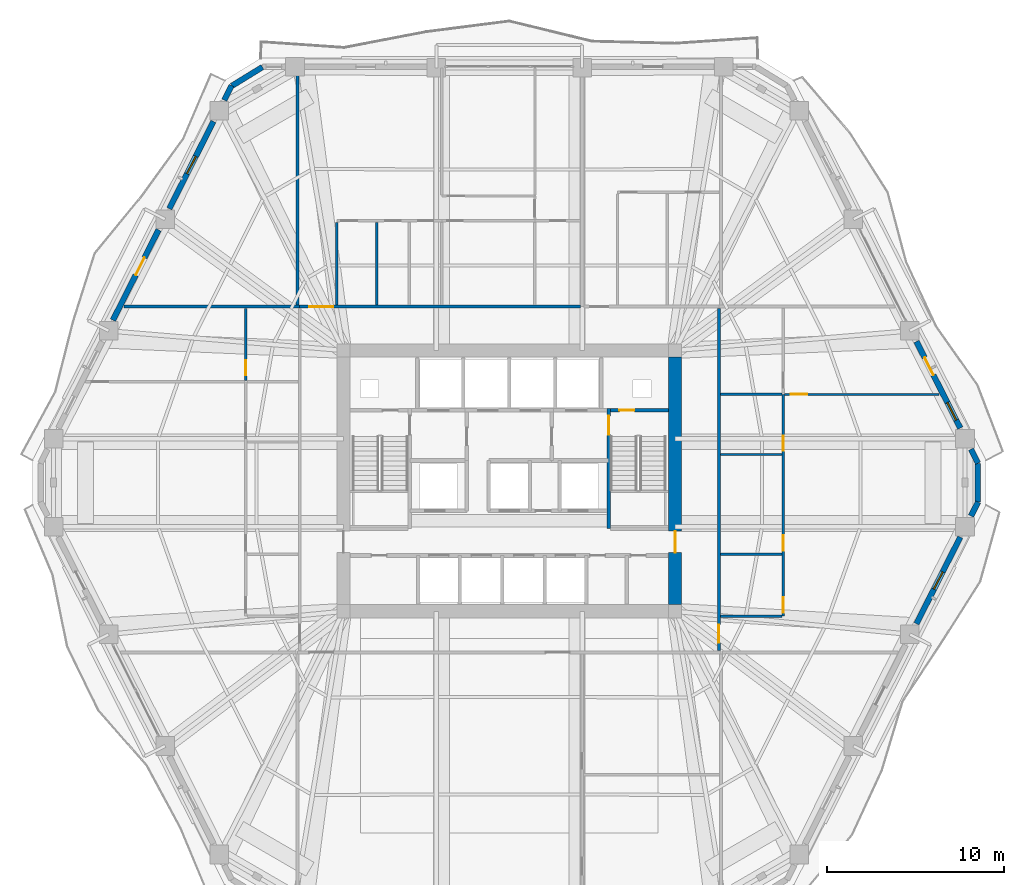
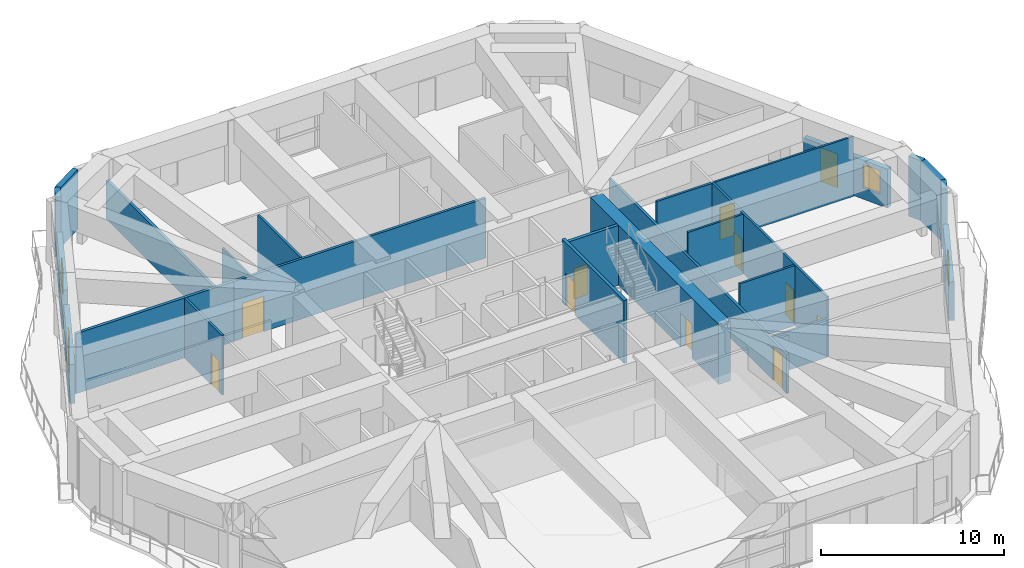
# One storey, part 16 of 23: 25 walls, 12 doors, 3 windows, 15 openings.
"""IFC4 building model written with IfcOpenShell, lengths in metres."""

from ifc_helpers import new_model, si_unit, direction, frame, frame_2d, origin, place, context, subcontext, project, spatial, rectangle, extrude, material, layer, layer_set, type_object, element, fill, save


model = new_model("IFC4")

# Units and contexts
model_context = context("Model", 3, precision=1e-05, world=origin(), true_north=direction((0.0, 1.0)))
body_context = subcontext(model_context, "Body", "Model", "MODEL_VIEW")
ifc_project = project(units=[si_unit("LENGTHUNIT", "METRE"), si_unit("AREAUNIT", "SQUARE_METRE"), si_unit("VOLUMEUNIT", "CUBIC_METRE"), si_unit("PLANEANGLEUNIT", "RADIAN"), si_unit("MASSUNIT", "GRAM", prefix="KILO")], contexts=[model_context])

# Site, building, storey
site_placement = place(None, origin())
site = spatial("IfcSite", under=ifc_project, at=site_placement, CompositionType="ELEMENT")
building_placement = place(site_placement, origin())
building = spatial("IfcBuilding", under=site, at=building_placement, Name="Cinnabar Lancet Tower", CompositionType="ELEMENT")
storey_placement = place(building_placement, frame((0.0, 0.0, 94.199951171875)))
storey = spatial("IfcBuildingStorey", under=building, at=storey_placement, Name="L24", CompositionType="ELEMENT", Elevation=94.199951171875)

# Wall, opening, door
ifc_material_1 = material(Name="Acoustic twin-stud gypsum partition", Category="gypsum")
ifc_layer_1 = layer(ifc_material_1, 0.159912109375)
ifc_layer_set_1 = layer_set([ifc_layer_1], Name="Acoustic twin-stud gypsum partition")
wall_type_1 = type_object("IfcWallType", Name="ARC-WL-CORR-160", PredefinedType="PARTITIONING", material=ifc_layer_set_1)
wall_1_placement = place(storey_placement, frame((20.528076171875, 35.75, 0.0), z_axis=(0.0, 0.0, 1.0), x_axis=(1.0, 0.0, 0.0)))
wall_1 = element("IfcWall", 1, at=wall_1_placement, inside=storey, type_object=wall_type_1, Name="L24 Unit N01 Corridor Wall", PredefinedType="PARTITIONING", context=body_context, shape_type="SweptSolid", body=[
    extrude(rectangle(XDim=15.89892578125, YDim=0.159912109375, at=frame_2d((7.949462890625, 0.0))), origin(), (0.0, 0.0, 1.0), 3.989990234375),
])
opening_1_placement = place(wall_1_placement, frame((0.572021484375, 0.0, 0.0)))
opening_1 = element("IfcOpeningElement", 2, at=opening_1_placement, cuts=wall_1, Name="Opening UD-02", PredefinedType="OPENING", context=body_context, shape_type="SweptSolid", body=[
    extrude(rectangle(XDim=1.35009765625, YDim=2.35009765625, at=frame_2d((0.675048828125, 1.175048828125))), frame((0.0, 0.08984375, 0.0), z_axis=(0.0, -1.0, 0.0), x_axis=(1.0, 0.0, 0.0)), (0.0, 0.0, 1.0), 0.179931640625),
])
ifc_material_2 = material(Name="Double-leaf solid timber penthouse entrance door", Category="wood")
door_type_1 = type_object("IfcDoorType", Name="ARC-DR-UNIT-PH", OperationType="NOTDEFINED", PredefinedType="DOOR", material=ifc_material_2)
door_1_placement = place(opening_1_placement, origin())
door_1 = element("IfcDoor", 3, at=door_1_placement, inside=storey, type_object=door_type_1, Name="DR-L24-N01-ENT", OperationType="SINGLE_SWING_LEFT", OverallHeight=2.35009765625, OverallWidth=1.35009765625, PredefinedType="DOOR", context=body_context, shape_type="SweptSolid", body=[
    extrude(rectangle(XDim=1.35009765625, YDim=2.35009765625, at=frame_2d((0.675048828125, 1.175048828125))), frame((0.0, 0.02490234375, 0.0), z_axis=(0.0, -1.0, 0.0), x_axis=(1.0, 0.0, 0.0)), (0.0, 0.0, 1.0), 0.050048828125),
])
fill(opening_1, door_1)

wall_2_placement = place(storey_placement, frame((44.25, 16.294921875, 0.0), z_axis=(0.0, 0.0, 1.0), x_axis=(0.0, 1.0, 0.0)))
wall_2 = element("IfcWall", 4, at=wall_2_placement, inside=storey, type_object=wall_type_1, Name="UW-L24-E01-COR", PredefinedType="PARTITIONING", context=body_context, shape_type="SweptSolid", body=[
    extrude(rectangle(XDim=19.360107421875, YDim=0.159912109375, at=frame_2d((9.68017578125, 0.0))), origin(), (0.0, 0.0, 1.0), 2.590087890625),
])
opening_2_placement = place(wall_2_placement, frame((0.449951171875, 0.0, 0.0)))
opening_2 = element("IfcOpeningElement", 5, at=opening_2_placement, cuts=wall_2, Name="Opening UD-01", PredefinedType="OPENING", context=body_context, shape_type="SweptSolid", body=[
    extrude(rectangle(XDim=1.02001953125, YDim=2.25, at=frame_2d((0.510009765625, 1.125))), frame((0.0, 0.08984375, 0.0), z_axis=(0.0, -1.0, 0.0), x_axis=(1.0, 0.0, 0.0)), (0.0, 0.0, 1.0), 0.179931640625),
])
ifc_material_3 = material(Name="Solid timber fire-rated apartment entrance door", Category="wood")
door_type_2 = type_object("IfcDoorType", Name="ARC-DR-UNIT", OperationType="NOTDEFINED", PredefinedType="DOOR", material=ifc_material_3)
door_2_placement = place(opening_2_placement, origin())
door_2 = element("IfcDoor", 6, at=door_2_placement, inside=storey, type_object=door_type_2, Name="DR-L24-E01-ENT", OperationType="SINGLE_SWING_RIGHT", OverallHeight=2.25, OverallWidth=1.02001953125, PredefinedType="DOOR", context=body_context, shape_type="SweptSolid", body=[
    extrude(rectangle(XDim=1.02001953125, YDim=2.25, at=frame_2d((0.510009765625, 1.125))), frame((0.0, 0.02490234375, 0.0), z_axis=(0.0, -1.0, 0.0), x_axis=(1.0, 0.0, 0.0)), (0.0, 0.0, 1.0), 0.050048828125),
])
fill(opening_2, door_2)

# Walls
ifc_material_4 = material(Name="Fire-rated twin-frame acoustic drywall", Category="gypsum")
ifc_layer_2 = layer(ifc_material_4, 0.179931640625)
ifc_layer_set_2 = layer_set([ifc_layer_2], Name="Fire-rated twin-frame acoustic drywall")
wall_type_2 = type_object("IfcWallType", Name="ARC-WL-PARTY-180", PredefinedType="PARTITIONING", material=ifc_layer_set_2)
wall_3_placement = place(storey_placement, frame((20.43310546875, 35.75, 0.0), z_axis=(0.0, 0.0, 1.0), x_axis=(0.0, 1.0, 0.0)))
element("IfcWall", 7, at=wall_3_placement, inside=storey, type_object=wall_type_2, Name="PW-L24-NPTY-204", PredefinedType="PARTITIONING", context=body_context, shape_type="SweptSolid", body=[
    extrude(rectangle(XDim=13.485107421875, YDim=0.179931640625, at=frame_2d((6.74267578125, 0.0))), origin(), (0.0, 0.0, 1.0), 2.590087890625),
])
wall_4_placement = place(storey_placement, frame((10.60302734375, 35.75, 0.0), z_axis=(0.0, 0.0, 1.0), x_axis=(1.0, 0.0, 0.0)))
element("IfcWall", 8, at=wall_4_placement, inside=storey, type_object=wall_type_2, Name="PW-L24-WNB", PredefinedType="PARTITIONING", context=body_context, shape_type="SweptSolid", body=[
    extrude(rectangle(XDim=9.947021484375, YDim=0.179931640625, at=frame_2d((4.9736328125, 0.0))), origin(), (0.0, 0.0, 1.0), 3.989990234375),
])

# Wall, opening, door
ifc_material_5 = material(Name="Autoclaved aerated concrete blockwork", Category="masonry")
ifc_layer_3 = layer(ifc_material_5, 0.199951171875)
ifc_layer_set_3 = layer_set([ifc_layer_3], Name="Autoclaved aerated concrete blockwork")
wall_type_3 = type_object("IfcWallType", Name="ARC-WL-SHAFT-200", PredefinedType="PLUMBINGWALL", material=ifc_layer_set_3)
wall_5_placement = place(storey_placement, frame((38.125, 29.89990234375, 0.0), z_axis=(0.0, 0.0, 1.0), x_axis=(1.0, 0.0, 0.0)))
wall_5 = element("IfcWall", 9, at=wall_5_placement, inside=storey, type_object=wall_type_3, Name="CW-NSH-E-L24", PredefinedType="PLUMBINGWALL", context=body_context, shape_type="SweptSolid", body=[
    extrude(rectangle(XDim=3.27001953125, YDim=0.199951171875, at=frame_2d((1.635009765625, 0.0))), origin(), (0.0, 0.0, 1.0), 3.989990234375),
])
opening_3_placement = place(wall_5_placement, frame((0.5, 0.0, 0.0)))
opening_3 = element("IfcOpeningElement", 10, at=opening_3_placement, cuts=wall_5, Name="Opening PD-02", PredefinedType="OPENING", context=body_context, shape_type="SweptSolid", body=[
    extrude(rectangle(XDim=0.85009765625, YDim=2.050048828125, at=frame_2d((0.425048828125, 1.02490234375))), frame((0.0, 0.10986328125, 0.0), z_axis=(0.0, -1.0, 0.0), x_axis=(1.0, 0.0, 0.0)), (0.0, 0.0, 1.0), 0.219970703125),
])
ifc_material_6 = material(Name="Fire-rated steel riser access door", Category="steel")
door_type_3 = type_object("IfcDoorType", Name="ARC-DR-RISER", OperationType="NOTDEFINED", PredefinedType="DOOR", material=ifc_material_6)
door_3_placement = place(opening_3_placement, origin())
door_3 = element("IfcDoor", 11, at=door_3_placement, inside=storey, type_object=door_type_3, Name="L24 East Riser Access Door", OperationType="SINGLE_SWING_RIGHT", OverallHeight=2.050048828125, OverallWidth=0.85009765625, PredefinedType="DOOR", context=body_context, shape_type="SweptSolid", body=[
    extrude(rectangle(XDim=0.85009765625, YDim=2.050048828125, at=frame_2d((0.425048828125, 1.02490234375))), frame((0.0, 0.02490234375, 0.0), z_axis=(0.0, -1.0, 0.0), x_axis=(1.0, 0.0, 0.0)), (0.0, 0.0, 1.0), 0.050048828125),
])
fill(opening_3, door_3)

# Walls
ifc_material_7 = material(Name="Gypsum plasterboard stud partition", Category="gypsum")
ifc_layer_4 = layer(ifc_material_7, 0.125)
ifc_layer_set_4 = layer_set([ifc_layer_4], Name="Gypsum plasterboard stud partition")
wall_type_4 = type_object("IfcWallType", Name="ARC-WL-UNIT-125", PredefinedType="PARTITIONING", material=ifc_layer_set_4)
wall_6_placement = place(storey_placement, frame((22.64990234375, 35.8349609375, 0.0), z_axis=(0.0, 0.0, 1.0), x_axis=(0.0, 1.0, 0.0)))
element("IfcWall", 12, at=wall_6_placement, inside=storey, type_object=wall_type_4, Name="UW-L24-N01-FOYE", PredefinedType="PARTITIONING", context=body_context, shape_type="SweptSolid", body=[
    extrude(rectangle(XDim=4.6650390625, YDim=0.125, at=frame_2d((2.33251953125, 0.0))), origin(), (0.0, 0.0, 1.0), 2.590087890625),
])
wall_7_placement = place(storey_placement, frame((44.3349609375, 18.25, 0.0), z_axis=(0.0, 0.0, 1.0), x_axis=(1.0, 0.0, 0.0)))
element("IfcWall", 13, at=wall_7_placement, inside=storey, type_object=wall_type_4, Name="UW-L24-E01-FOYN", PredefinedType="PARTITIONING", context=body_context, shape_type="SweptSolid", body=[
    extrude(rectangle(XDim=3.47998046875, YDim=0.125, at=frame_2d((1.739990234375, 0.0))), origin(), (0.0, 0.0, 1.0), 2.590087890625),
])

# Wall, opening, door
wall_8_placement = place(storey_placement, frame((47.97509765625, 30.7890625, 0.0), z_axis=(0.0, 0.0, 1.0), x_axis=(1.0, 0.0, 0.0)))
wall_8 = element("IfcWall", 14, at=wall_8_placement, inside=storey, type_object=wall_type_4, Name="UW-L24-E01-MBN", PredefinedType="PARTITIONING", context=body_context, shape_type="SweptSolid", body=[
    extrude(rectangle(XDim=8.73583984375, YDim=0.125, at=frame_2d((4.367919921875, 0.0))), origin(), (0.0, 0.0, 1.0), 3.989990234375),
])
opening_4_placement = place(wall_8_placement, frame((0.35009765625, 0.0, 0.0)))
opening_4 = element("IfcOpeningElement", 15, at=opening_4_placement, cuts=wall_8, Name="Opening RD-01", PredefinedType="OPENING", context=body_context, shape_type="SweptSolid", body=[
    extrude(rectangle(XDim=0.919921875, YDim=2.14990234375, at=frame_2d((0.4599609375, 1.074951171875))), frame((0.0, 0.072509765625, 0.0), z_axis=(0.0, -1.0, 0.0), x_axis=(1.0, 0.0, 0.0)), (0.0, 0.0, 1.0), 0.14501953125),
])
ifc_material_8 = material(Name="Engineered timber bedroom door", Category="wood")
door_type_4 = type_object("IfcDoorType", Name="ARC-DR-ROOM", OperationType="NOTDEFINED", PredefinedType="DOOR", material=ifc_material_8)
door_4_placement = place(opening_4_placement, origin())
door_4 = element("IfcDoor", 16, at=door_4_placement, inside=storey, type_object=door_type_4, Name="DR-L24-E01-MBD", OperationType="SINGLE_SWING_RIGHT", OverallHeight=2.14990234375, OverallWidth=0.919921875, PredefinedType="DOOR", context=body_context, shape_type="SweptSolid", body=[
    extrude(rectangle(XDim=0.919921875, YDim=2.14990234375, at=frame_2d((0.4599609375, 1.074951171875))), frame((0.0, 0.02490234375, 0.0), z_axis=(0.0, -1.0, 0.0), x_axis=(1.0, 0.0, 0.0)), (0.0, 0.0, 1.0), 0.050048828125),
])
fill(opening_4, door_4)

# Walls
wall_9_placement = place(storey_placement, frame((44.3349609375, 27.388916015625, 0.0), z_axis=(0.0, 0.0, 1.0), x_axis=(1.0, 0.0, 0.0)))
element("IfcWall", 17, at=wall_9_placement, inside=storey, type_object=wall_type_4, Name="UW-L24-E01-UDV", PredefinedType="PARTITIONING", context=body_context, shape_type="SweptSolid", body=[
    extrude(rectangle(XDim=3.47998046875, YDim=0.125, at=frame_2d((1.739990234375, 0.0))), origin(), (0.0, 0.0, 1.0), 3.989990234375),
])
ifc_material_9 = material(Name="Moisture-resistant cement-board plumbing wall", Category="masonry")
ifc_layer_5 = layer(ifc_material_9, 0.139892578125)
ifc_layer_set_5 = layer_set([ifc_layer_5], Name="Moisture-resistant cement-board plumbing wall")
wall_type_5 = type_object("IfcWallType", Name="ARC-WL-WET-140", PredefinedType="PLUMBINGWALL", material=ifc_layer_set_5)
wall_10_placement = place(storey_placement, frame((24.905029296875, 35.8349609375, 0.0), z_axis=(0.0, 0.0, 1.0), x_axis=(0.0, 1.0, 0.0)))
element("IfcWall", 18, at=wall_10_placement, inside=storey, type_object=wall_type_5, Name="UW-L24-N01-KDV", PredefinedType="PLUMBINGWALL", context=body_context, shape_type="SweptSolid", body=[
    extrude(rectangle(XDim=4.6650390625, YDim=0.139892578125, at=frame_2d((2.33251953125, 0.0))), origin(), (0.0, 0.0, 1.0), 3.989990234375),
])

# Wall, opening, door
wall_11_placement = place(storey_placement, frame((17.5, 31.568115234375, 0.0), z_axis=(0.0, 0.0, 1.0), x_axis=(0.0, 1.0, 0.0)))
wall_11 = element("IfcWall", 19, at=wall_11_placement, inside=storey, type_object=wall_type_5, Name="UW-L24-W01-SPM", PredefinedType="PLUMBINGWALL", context=body_context, shape_type="SweptSolid", body=[
    extrude(rectangle(XDim=4.0869140625, YDim=0.139892578125, at=frame_2d((2.04345703125, 0.0))), origin(), (0.0, 0.0, 1.0), 3.989990234375),
])
opening_5_placement = place(wall_11_placement, frame((0.300048828125, 0.0, 0.0)))
opening_5 = element("IfcOpeningElement", 20, at=opening_5_placement, cuts=wall_11, Name="Opening BD-01", PredefinedType="OPENING", context=body_context, shape_type="SweptSolid", body=[
    extrude(rectangle(XDim=0.860107421875, YDim=2.10009765625, at=frame_2d((0.43017578125, 1.050048828125))), frame((0.0, 0.079833984375, 0.0), z_axis=(0.0, -1.0, 0.0), x_axis=(1.0, 0.0, 0.0)), (0.0, 0.0, 1.0), 0.159912109375),
])
ifc_material_10 = material(Name="Moisture-resistant timber bathroom door", Category="wood")
door_type_5 = type_object("IfcDoorType", Name="ARC-DR-BATH", OperationType="NOTDEFINED", PredefinedType="DOOR", material=ifc_material_10)
door_5_placement = place(opening_5_placement, origin())
door_5 = element("IfcDoor", 21, at=door_5_placement, inside=storey, type_object=door_type_5, Name="DR-L24-W01-ENS", OperationType="SINGLE_SWING_LEFT", OverallHeight=2.10009765625, OverallWidth=0.860107421875, PredefinedType="DOOR", context=body_context, shape_type="SweptSolid", body=[
    extrude(rectangle(XDim=0.860107421875, YDim=2.10009765625, at=frame_2d((0.43017578125, 1.050048828125))), frame((0.0, 0.02490234375, 0.0), z_axis=(0.0, -1.0, 0.0), x_axis=(1.0, 0.0, 0.0)), (0.0, 0.0, 1.0), 0.050048828125),
])
fill(opening_5, door_5)

# Wall, openings, doors
wall_12_placement = place(storey_placement, frame((47.89990234375, 18.25, 0.0), z_axis=(0.0, 0.0, 1.0), x_axis=(0.0, 1.0, 0.0)))
wall_12 = element("IfcWall", 22, at=wall_12_placement, inside=storey, type_object=wall_type_5, Name="UW-L24-E01-SPL", PredefinedType="PLUMBINGWALL", context=body_context, shape_type="SweptSolid", body=[
    extrude(rectangle(XDim=12.5390625, YDim=0.139892578125, at=frame_2d((6.26953125, 0.0))), origin(), (0.0, 0.0, 1.0), 3.989990234375),
])
opening_6_placement = place(wall_12_placement, frame((0.199951171875, 0.0, 0.0)))
opening_6 = element("IfcOpeningElement", 23, at=opening_6_placement, cuts=wall_12, Name="Opening RD-02", PredefinedType="OPENING", context=body_context, shape_type="SweptSolid", body=[
    extrude(rectangle(XDim=0.8798828125, YDim=2.14990234375, at=frame_2d((0.43994140625, 1.074951171875))), frame((0.0, 0.079833984375, 0.0), z_axis=(0.0, -1.0, 0.0), x_axis=(1.0, 0.0, 0.0)), (0.0, 0.0, 1.0), 0.159912109375),
])
opening_7_placement = place(wall_12_placement, frame((3.699951171875, 0.0, 0.0)))
opening_7 = element("IfcOpeningElement", 24, at=opening_7_placement, cuts=wall_12, Name="Opening RD-02", PredefinedType="OPENING", context=body_context, shape_type="SweptSolid", body=[
    extrude(rectangle(XDim=0.8798828125, YDim=2.14990234375, at=frame_2d((0.43994140625, 1.074951171875))), frame((0.0, 0.079833984375, 0.0), z_axis=(0.0, -1.0, 0.0), x_axis=(1.0, 0.0, 0.0)), (0.0, 0.0, 1.0), 0.159912109375),
])
opening_8_placement = place(wall_12_placement, frame((9.339111328125, 0.0, 0.0)))
opening_8 = element("IfcOpeningElement", 25, at=opening_8_placement, cuts=wall_12, Name="Opening BD-01", PredefinedType="OPENING", context=body_context, shape_type="SweptSolid", body=[
    extrude(rectangle(XDim=0.860107421875, YDim=2.10009765625, at=frame_2d((0.43017578125, 1.050048828125))), frame((0.0, 0.079833984375, 0.0), z_axis=(0.0, -1.0, 0.0), x_axis=(1.0, 0.0, 0.0)), (0.0, 0.0, 1.0), 0.159912109375),
])
door_6_placement = place(opening_8_placement, origin())
door_6 = element("IfcDoor", 26, at=door_6_placement, inside=storey, type_object=door_type_5, Name="DR-L24-E01-BTH", OperationType="SINGLE_SWING_LEFT", OverallHeight=2.10009765625, OverallWidth=0.860107421875, PredefinedType="DOOR", context=body_context, shape_type="SweptSolid", body=[
    extrude(rectangle(XDim=0.860107421875, YDim=2.10009765625, at=frame_2d((0.43017578125, 1.050048828125))), frame((0.0, 0.02490234375, 0.0), z_axis=(0.0, -1.0, 0.0), x_axis=(1.0, 0.0, 0.0)), (0.0, 0.0, 1.0), 0.050048828125),
])
fill(opening_8, door_6)
ifc_material_11 = material(Name="Engineered timber study door", Category="wood")
door_type_6 = type_object("IfcDoorType", Name="ARC-DR-STUDY", OperationType="NOTDEFINED", PredefinedType="DOOR", material=ifc_material_11)
door_7_placement = place(opening_6_placement, origin())
door_7 = element("IfcDoor", 27, at=door_7_placement, inside=storey, type_object=door_type_6, Name="DR-L24-E01-KIT", OperationType="SINGLE_SWING_LEFT", OverallHeight=2.14990234375, OverallWidth=0.8798828125, PredefinedType="DOOR", context=body_context, shape_type="SweptSolid", body=[
    extrude(rectangle(XDim=0.8798828125, YDim=2.14990234375, at=frame_2d((0.43994140625, 1.074951171875))), frame((0.0, 0.02490234375, 0.0), z_axis=(0.0, -1.0, 0.0), x_axis=(1.0, 0.0, 0.0)), (0.0, 0.0, 1.0), 0.050048828125),
])
fill(opening_6, door_7)
door_8_placement = place(opening_7_placement, origin())
door_8 = element("IfcDoor", 28, at=door_8_placement, inside=storey, type_object=door_type_6, Name="DR-L24-E01-UTL", OperationType="SINGLE_SWING_RIGHT", OverallHeight=2.14990234375, OverallWidth=0.8798828125, PredefinedType="DOOR", context=body_context, shape_type="SweptSolid", body=[
    extrude(rectangle(XDim=0.8798828125, YDim=2.14990234375, at=frame_2d((0.43994140625, 1.074951171875))), frame((0.0, 0.02490234375, 0.0), z_axis=(0.0, -1.0, 0.0), x_axis=(1.0, 0.0, 0.0)), (0.0, 0.0, 1.0), 0.050048828125),
])
fill(opening_7, door_8)

# Walls
for number, where, z_axis, x_axis, name in (
    (29, (44.3349609375, 30.7890625, 0.0), (0.0, 0.0, 1.0), (1.0, 0.0, 0.0), "UW-L24-E01-ENSN"),
    (30, (44.3349609375, 21.75, 0.0), (0.0, 0.0, 1.0), (1.0, 0.0, 0.0), "UW-L24-E01-KDV"),
):
    element("IfcWall", number, at=place(storey_placement, frame(where, z_axis=z_axis, x_axis=x_axis)), inside=storey, type_object=wall_type_5, Name=name, PredefinedType="PLUMBINGWALL", context=body_context, shape_type="SweptSolid", body=[
        extrude(rectangle(XDim=3.47998046875, YDim=0.139892578125, at=frame_2d((1.739990234375, 0.0))), origin(), (0.0, 0.0, 1.0), 3.989990234375),
    ])
ifc_material_12 = material(Name="Warm buff clay brick", Category="masonry")
ifc_layer_6 = layer(ifc_material_12, 0.320068359375)
ifc_layer_set_6 = layer_set([ifc_layer_6], Name="Warm buff clay brick")
wall_type_6 = type_object("IfcWallType", Name="ENV-WL-BRK-BUF-320", PredefinedType="STANDARD", material=ifc_layer_set_6)
wall_13_placement = place(storey_placement, frame((58.887939453125, 24.7119140625, 0.0), z_axis=(0.0, 0.0, 1.0), x_axis=(0.0, 1.0, 0.0)))
element("IfcWall", 31, at=wall_13_placement, inside=storey, type_object=wall_type_6, Name="L24 Chamfered Corner Brick Pier 3.1", PredefinedType="STANDARD", context=body_context, shape_type="SweptSolid", body=[
    extrude(rectangle(XDim=2.176025390625, YDim=0.320068359375, at=frame_2d((1.087890625, 0.0))), origin(), (0.0, 0.0, 1.0), 3.989990234375),
])
wall_14_placement = place(storey_placement, frame((18.44091796875, 49.2958984375, 0.0), z_axis=(0.0, 0.0, 1.0), x_axis=(-0.851969051343, -0.523592146192, 0.0)))
element("IfcWall", 32, at=wall_14_placement, inside=storey, type_object=wall_type_6, Name="L24 Chamfered Corner Brick Pier 5.1", PredefinedType="STANDARD", context=body_context, shape_type="SweptSolid", body=[
    extrude(rectangle(XDim=2.022216796875, YDim=0.320068359375, at=frame_2d((1.01123046875, 0.0))), origin(), (0.0, 0.0, 1.0), 3.989990234375),
])

# Wall, opening, window
wall_15_placement = place(storey_placement, frame((55.425048828125, 17.821044921875, 0.0), z_axis=(0.0, 0.0, 1.0), x_axis=(0.451430335802, 0.892306366624, 0.0)))
wall_15 = element("IfcWall", 33, at=wall_15_placement, inside=storey, type_object=wall_type_6, Name="L24 Face 2 Masonry Bay Wall 4", PredefinedType="STANDARD", context=body_context, shape_type="SweptSolid", body=[
    extrude(rectangle(XDim=5.482177734375, YDim=0.320068359375, at=frame_2d((2.7412109375, 0.0))), origin(), (0.0, 0.0, 1.0), 2.590087890625),
])
opening_9_placement = place(wall_15_placement, frame((2.19091796875, 0.0, 0.75)))
opening_9 = element("IfcOpeningElement", 34, at=opening_9_placement, cuts=wall_15, Name="Opening WN-04", PredefinedType="OPENING", context=body_context, shape_type="SweptSolid", body=[
    extrude(rectangle(XDim=1.10009765625, YDim=1.68994140625, at=frame_2d((0.550048828125, 0.844970703125))), frame((0.0, 0.169921875, 0.0), z_axis=(0.0, -1.0, 0.0), x_axis=(1.0, 0.0, 0.0)), (0.0, 0.0, 1.0), 0.340087890625),
])
ifc_material_13 = material(Name="Thermally broken bronze-anodized aluminium tall lancet window", Category="aluminium")
window_type = type_object("IfcWindowType", Name="ENV-WN-LANCET-1100", PartitioningType="SINGLE_PANEL", PredefinedType="WINDOW", material=ifc_material_13)
window_1_placement = place(opening_9_placement, origin())
window_1 = element("IfcWindow", 35, at=window_1_placement, inside=storey, type_object=window_type, Name="L24 Face 2 Gothic Lancet Window 4", OverallHeight=1.68994140625, OverallWidth=1.10009765625, PartitioningType="SINGLE_PANEL", PredefinedType="WINDOW", context=body_context, shape_type="SweptSolid", body=[
    extrude(rectangle(XDim=1.10009765625, YDim=1.68994140625, at=frame_2d((0.550048828125, 0.844970703125))), frame((0.0, 0.030029296875, 0.0), z_axis=(0.0, -1.0, 0.0), x_axis=(1.0, 0.0, 0.0)), (0.0, 0.0, 1.0), 0.06005859375),
])
fill(opening_9, window_1)

# Walls
for number, where, z_axis, x_axis, name in (
    (36, (58.508056640625, 23.9150390625, 0.0), (0.0, 0.0, 1.0), (0.451619580519, 0.892210599854, 0.0), "L24 Face 2 Masonry Bay Wall 5"),
    (37, (58.907958984375, 26.89501953125, 0.0), (0.0, 0.0, 1.0), (-0.451619580519, 0.892210599854, 0.0), "L24 Face 3 Masonry Bay Wall 1"),
):
    element("IfcWall", number, at=place(storey_placement, frame(where, z_axis=z_axis, x_axis=x_axis)), inside=storey, type_object=wall_type_6, Name=name, PredefinedType="STANDARD", context=body_context, shape_type="SweptSolid", body=[
        extrude(rectangle(XDim=0.885498046875, YDim=0.320068359375, at=frame_2d((0.44287109375, 0.0))), origin(), (0.0, 0.0, 1.0), 3.989990234375),
    ])

# Wall, openings, door, window
wall_16_placement = place(storey_placement, frame((57.89990234375, 28.886962890625, 0.0), z_axis=(0.0, 0.0, 1.0), x_axis=(-0.451412397928, 0.89231544142, 0.0)))
wall_16 = element("IfcWall", 38, at=wall_16_placement, inside=storey, type_object=wall_type_6, Name="L24 Face 3 Masonry Bay Wall 2", PredefinedType="STANDARD", context=body_context, shape_type="SweptSolid", body=[
    extrude(rectangle(XDim=5.482421875, YDim=0.320068359375, at=frame_2d((2.7412109375, 0.0))), origin(), (0.0, 0.0, 1.0), 2.590087890625),
])
opening_10_placement = place(wall_16_placement, frame((3.363037109375, 0.0, 0.0)))
opening_10 = element("IfcOpeningElement", 39, at=opening_10_placement, cuts=wall_16, Name="Opening TD-01", PredefinedType="OPENING", context=body_context, shape_type="SweptSolid", body=[
    extrude(rectangle(XDim=1.10009765625, YDim=2.25, at=frame_2d((0.550048828125, 1.125))), frame((0.0, 0.169921875, 0.0), z_axis=(0.0, -1.0, 0.0), x_axis=(1.0, 0.0, 0.0)), (0.0, 0.0, 1.0), 0.340087890625),
])
opening_11_placement = place(wall_16_placement, frame((0.507080078125, 0.0, 0.75)))
opening_11 = element("IfcOpeningElement", 40, at=opening_11_placement, cuts=wall_16, Name="Opening WN-04", PredefinedType="OPENING", context=body_context, shape_type="SweptSolid", body=[
    extrude(rectangle(XDim=1.10009765625, YDim=1.56005859375, at=frame_2d((0.550048828125, 0.780029296875))), frame((0.0, 0.169921875, 0.0), z_axis=(0.0, -1.0, 0.0), x_axis=(1.0, 0.0, 0.0)), (0.0, 0.0, 1.0), 0.340087890625),
])
ifc_material_14 = material(Name="Thermally broken low-E glazed balcony terrace door", Category="wood")
door_type_7 = type_object("IfcDoorType", Name="ARC-DR-BALC", OperationType="NOTDEFINED", PredefinedType="DOOR", material=ifc_material_14)
door_9_placement = place(opening_10_placement, origin())
door_9 = element("IfcDoor", 41, at=door_9_placement, inside=storey, type_object=door_type_7, Name="L24 Face 3 Glazed Terrace Door", OperationType="SINGLE_SWING_LEFT", OverallHeight=2.25, OverallWidth=1.10009765625, PredefinedType="DOOR", context=body_context, shape_type="SweptSolid", body=[
    extrude(rectangle(XDim=1.10009765625, YDim=2.25, at=frame_2d((0.550048828125, 1.125))), frame((0.0, 0.02490234375, 0.0), z_axis=(0.0, -1.0, 0.0), x_axis=(1.0, 0.0, 0.0)), (0.0, 0.0, 1.0), 0.050048828125),
])
fill(opening_10, door_9)
window_2_placement = place(opening_11_placement, origin())
window_2 = element("IfcWindow", 42, at=window_2_placement, inside=storey, type_object=window_type, Name="L24 Split-Bay Gothic Lancet Window 80", OverallHeight=1.56005859375, OverallWidth=1.10009765625, PartitioningType="SINGLE_PANEL", PredefinedType="WINDOW", context=body_context, shape_type="SweptSolid", body=[
    extrude(rectangle(XDim=1.10009765625, YDim=1.56005859375, at=frame_2d((0.550048828125, 0.780029296875))), frame((0.0, 0.030029296875, 0.0), z_axis=(0.0, -1.0, 0.0), x_axis=(1.0, 0.0, 0.0)), (0.0, 0.0, 1.0), 0.06005859375),
])
fill(opening_11, window_2)

# Wall
wall_17_placement = place(storey_placement, frame((16.698974609375, 48.251953125, 0.0), z_axis=(0.0, 0.0, 1.0), x_axis=(-0.45154400974, -0.892248848286, 0.0)))
element("IfcWall", 43, at=wall_17_placement, inside=storey, type_object=wall_type_6, Name="L24 Face 5 Masonry Bay Wall 1", PredefinedType="STANDARD", context=body_context, shape_type="SweptSolid", body=[
    extrude(rectangle(XDim=0.923583984375, YDim=0.320068359375, at=frame_2d((0.4619140625, 0.0))), origin(), (0.0, 0.0, 1.0), 3.989990234375),
])

# Wall, opening, window
wall_18_placement = place(storey_placement, frame((15.674072265625, 46.22607421875, 0.0), z_axis=(0.0, 0.0, 1.0), x_axis=(-0.451552549164, -0.892244526654, 0.0)))
wall_18 = element("IfcWall", 44, at=wall_18_placement, inside=storey, type_object=wall_type_6, Name="L24 Face 5 Masonry Bay Wall 2", PredefinedType="STANDARD", context=body_context, shape_type="SweptSolid", body=[
    extrude(rectangle(XDim=5.530029296875, YDim=0.320068359375, at=frame_2d((2.76513671875, 0.0))), origin(), (0.0, 0.0, 1.0), 2.590087890625),
])
opening_12_placement = place(wall_18_placement, frame((2.215087890625, 0.0, 0.75)))
opening_12 = element("IfcOpeningElement", 45, at=opening_12_placement, cuts=wall_18, Name="Opening WN-04", PredefinedType="OPENING", context=body_context, shape_type="SweptSolid", body=[
    extrude(rectangle(XDim=1.10009765625, YDim=1.68994140625, at=frame_2d((0.550048828125, 0.844970703125))), frame((0.0, 0.169921875, 0.0), z_axis=(0.0, -1.0, 0.0), x_axis=(1.0, 0.0, 0.0)), (0.0, 0.0, 1.0), 0.340087890625),
])
window_3_placement = place(opening_12_placement, origin())
window_3 = element("IfcWindow", 46, at=window_3_placement, inside=storey, type_object=window_type, Name="L24 Face 5 Gothic Lancet Window 2", OverallHeight=1.68994140625, OverallWidth=1.10009765625, PartitioningType="SINGLE_PANEL", PredefinedType="WINDOW", context=body_context, shape_type="SweptSolid", body=[
    extrude(rectangle(XDim=1.10009765625, YDim=1.68994140625, at=frame_2d((0.550048828125, 0.844970703125))), frame((0.0, 0.030029296875, 0.0), z_axis=(0.0, -1.0, 0.0), x_axis=(1.0, 0.0, 0.0)), (0.0, 0.0, 1.0), 0.06005859375),
])
fill(opening_12, window_3)

# Wall, opening, door
wall_19_placement = place(storey_placement, frame((12.569091796875, 40.090087890625, 0.0), z_axis=(0.0, 0.0, 1.0), x_axis=(-0.451489285948, -0.89227654047, 0.0)))
wall_19 = element("IfcWall", 47, at=wall_19_placement, inside=storey, type_object=wall_type_6, Name="L24 Face 5 Masonry Bay Wall 3", PredefinedType="STANDARD", context=body_context, shape_type="SweptSolid", body=[
    extrude(rectangle(XDim=5.725830078125, YDim=0.320068359375, at=frame_2d((2.86279296875, 0.0))), origin(), (0.0, 0.0, 1.0), 2.590087890625),
])
opening_13_placement = place(wall_19_placement, frame((1.760009765625, 0.0, 0.0)))
opening_13 = element("IfcOpeningElement", 48, at=opening_13_placement, cuts=wall_19, Name="Opening TD-01", PredefinedType="OPENING", context=body_context, shape_type="SweptSolid", body=[
    extrude(rectangle(XDim=1.10009765625, YDim=2.25, at=frame_2d((0.550048828125, 1.125))), frame((0.0, 0.169921875, 0.0), z_axis=(0.0, -1.0, 0.0), x_axis=(1.0, 0.0, 0.0)), (0.0, 0.0, 1.0), 0.340087890625),
])
door_10_placement = place(opening_13_placement, origin())
door_10 = element("IfcDoor", 49, at=door_10_placement, inside=storey, type_object=door_type_7, Name="L24 Face 5 Glazed Terrace Door", OperationType="SINGLE_SWING_LEFT", OverallHeight=2.25, OverallWidth=1.10009765625, PredefinedType="DOOR", context=body_context, shape_type="SweptSolid", body=[
    extrude(rectangle(XDim=1.10009765625, YDim=2.25, at=frame_2d((0.550048828125, 1.125))), frame((0.0, 0.02490234375, 0.0), z_axis=(0.0, -1.0, 0.0), x_axis=(1.0, 0.0, 0.0)), (0.0, 0.0, 1.0), 0.050048828125),
])
fill(opening_13, door_10)

ifc_material_15 = material(Name="Concrete C70/85", Category="concrete")
ifc_layer_7 = layer(ifc_material_15, 0.75)
ifc_layer_set_7 = layer_set([ifc_layer_7], Name="Concrete C70/85")
wall_type_7 = type_object("IfcWallType", Name="STR-WL-CORE-750", PredefinedType="SHEAR", material=ifc_layer_set_7)
wall_20_placement = place(storey_placement, frame((41.77490234375, 18.89990234375, 0.0), z_axis=(0.0, 0.0, 1.0), x_axis=(0.0, 1.0, 0.0)))
wall_20 = element("IfcWall", 50, at=wall_20_placement, inside=storey, type_object=wall_type_7, Name="L24 Core Shear Wall E", PredefinedType="SHEAR", context=body_context, shape_type="SweptSolid", body=[
    extrude(rectangle(XDim=14.0, YDim=0.75, at=frame_2d((7.0, 0.0))), origin(), (0.0, 0.0, 1.0), 3.989990234375),
])
opening_14_placement = place(wall_20_placement, frame((2.93994140625, 0.0, 0.0)))
opening_14 = element("IfcOpeningElement", 51, at=opening_14_placement, cuts=wall_20, Name="Opening FD-02", PredefinedType="OPENING", context=body_context, shape_type="SweptSolid", body=[
    extrude(rectangle(XDim=1.219970703125, YDim=2.25, at=frame_2d((0.60986328125, 1.125))), frame((0.0, 0.385009765625, 0.0), z_axis=(0.0, -1.0, 0.0), x_axis=(1.0, 0.0, 0.0)), (0.0, 0.0, 1.0), 0.77001953125),
])
ifc_material_16 = material(Name="Fire-rated double-vision core portal door", Category="wood")
door_type_8 = type_object("IfcDoorType", Name="ARC-DR-CPORT", OperationType="NOTDEFINED", PredefinedType="DOOR", material=ifc_material_16)
door_11_placement = place(opening_14_placement, origin())
door_11 = element("IfcDoor", 52, at=door_11_placement, inside=storey, type_object=door_type_8, Name="L24 East Core Lobby Fire Door", OperationType="SINGLE_SWING_LEFT", OverallHeight=2.25, OverallWidth=1.219970703125, PredefinedType="DOOR", context=body_context, shape_type="SweptSolid", body=[
    extrude(rectangle(XDim=1.219970703125, YDim=2.25, at=frame_2d((0.60986328125, 1.125))), frame((0.0, 0.02490234375, 0.0), z_axis=(0.0, -1.0, 0.0), x_axis=(1.0, 0.0, 0.0)), (0.0, 0.0, 1.0), 0.050048828125),
])
fill(opening_14, door_11)

ifc_material_17 = material(Name="Concrete C50/60", Category="concrete")
ifc_layer_8 = layer(ifc_material_17, 0.199951171875)
ifc_layer_set_8 = layer_set([ifc_layer_8], Name="Concrete C50/60")
wall_type_8 = type_object("IfcWallType", Name="STR-WL-STAIR-200", PredefinedType="SHEAR", material=ifc_layer_set_8)
wall_21_placement = place(storey_placement, frame((38.02001953125, 23.199951171875, 0.0), z_axis=(0.0, 0.0, 1.0), x_axis=(0.0, 1.0, 0.0)))
wall_21 = element("IfcWall", 53, at=wall_21_placement, inside=storey, type_object=wall_type_8, Name="L24 Stair ST-2 Structural Enclosure Wall", PredefinedType="SHEAR", context=body_context, shape_type="SweptSolid", body=[
    extrude(rectangle(XDim=6.780029296875, YDim=0.199951171875, at=frame_2d((3.39013671875, 0.0))), origin(), (0.0, 0.0, 1.0), 4.199951171875),
])
opening_15_placement = place(wall_21_placement, frame((5.320068359375, 0.0, 0.0)))
opening_15 = element("IfcOpeningElement", 54, at=opening_15_placement, cuts=wall_21, Name="Opening SD-01", PredefinedType="OPENING", context=body_context, shape_type="SweptSolid", body=[
    extrude(rectangle(XDim=1.050048828125, YDim=2.14990234375, at=frame_2d((0.52490234375, 1.074951171875))), frame((0.0, 0.10986328125, 0.0), z_axis=(0.0, -1.0, 0.0), x_axis=(1.0, 0.0, 0.0)), (0.0, 0.0, 1.0), 0.219970703125),
])
ifc_material_18 = material(Name="Fire-rated steel stair exit door", Category="steel")
door_type_9 = type_object("IfcDoorType", Name="ARC-DR-STAIR", OperationType="NOTDEFINED", PredefinedType="DOOR", material=ifc_material_18)
door_12_placement = place(opening_15_placement, origin())
door_12 = element("IfcDoor", 55, at=door_12_placement, inside=storey, type_object=door_type_9, Name="L24 Stair ST-2 Fire Door", OperationType="SINGLE_SWING_RIGHT", OverallHeight=2.14990234375, OverallWidth=1.050048828125, PredefinedType="DOOR", context=body_context, shape_type="SweptSolid", body=[
    extrude(rectangle(XDim=1.050048828125, YDim=2.14990234375, at=frame_2d((0.52490234375, 1.074951171875))), frame((0.0, 0.02490234375, 0.0), z_axis=(0.0, -1.0, 0.0), x_axis=(1.0, 0.0, 0.0)), (0.0, 0.0, 1.0), 0.050048828125),
])
fill(opening_15, door_12)

save(model, "model.ifc")
